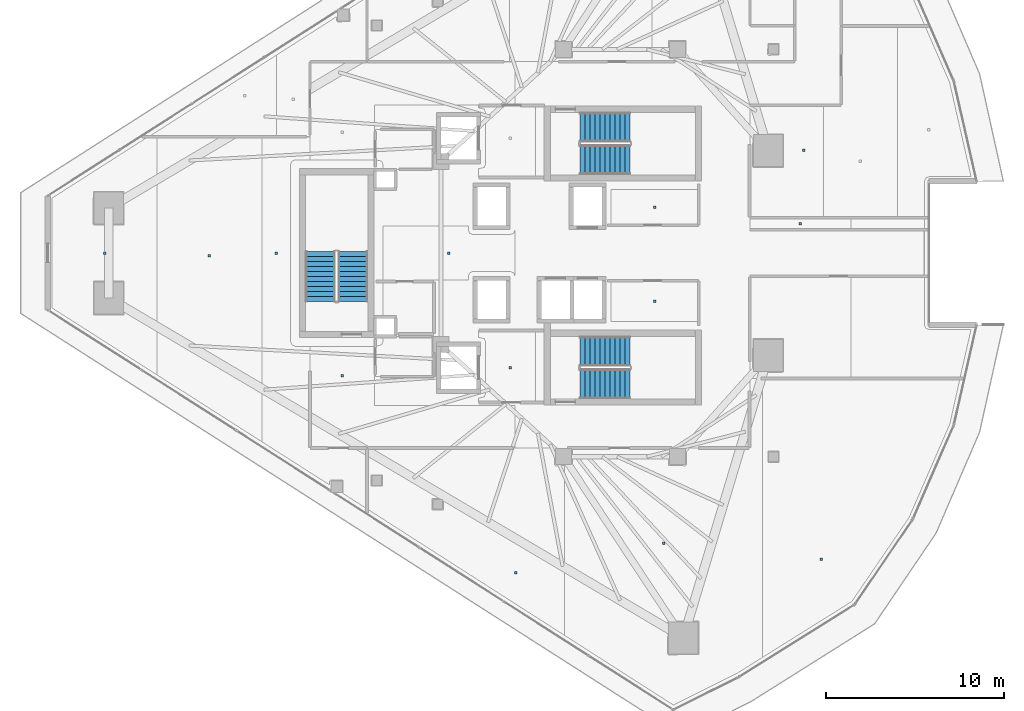
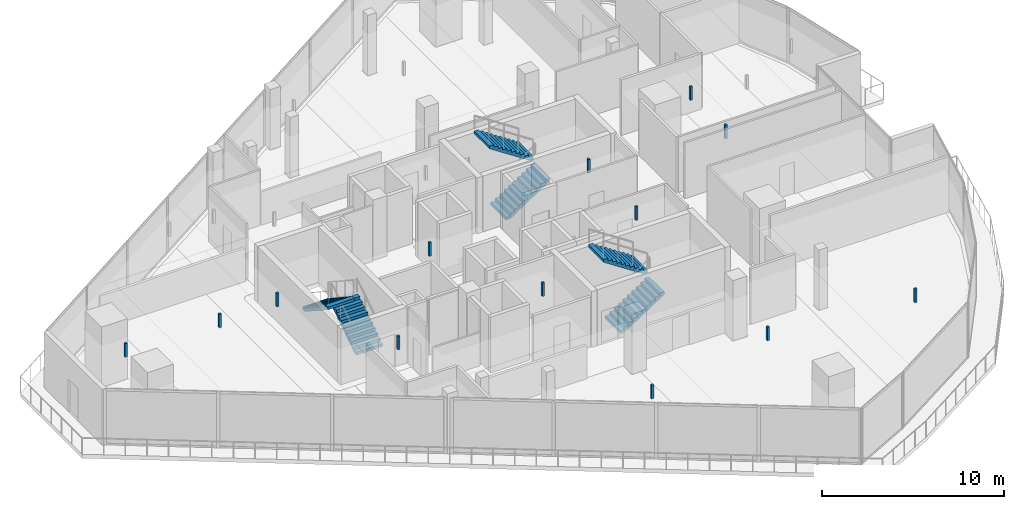
# One storey, part 27 of 34: 13 discrete accessories, 6 stair flights, 3 elements without a shape of their own.
"""IFC4 building model written with IfcOpenShell, lengths in metres."""

from ifc_helpers import new_model, si_unit, direction, frame, origin, origin_2d, place, context, subcontext, project, spatial, polyline, rectangle, outline, extrude, material, layer, layer_set, type_object, element, aggregate, save


model = new_model("IFC4")

# Units and contexts
model_context = context("Model", 3, precision=1e-05, world=origin(), true_north=direction((0.0, 1.0)))
body_context = subcontext(model_context, "Body", "Model", "MODEL_VIEW")
ifc_project = project(units=[si_unit("LENGTHUNIT", "METRE"), si_unit("AREAUNIT", "SQUARE_METRE"), si_unit("VOLUMEUNIT", "CUBIC_METRE"), si_unit("PLANEANGLEUNIT", "RADIAN"), si_unit("MASSUNIT", "GRAM", prefix="KILO")], contexts=[model_context])

# Site, building, storey
site_placement = place(None, origin())
site = spatial("IfcSite", under=ifc_project, at=site_placement, CompositionType="ELEMENT")
building_placement = place(site_placement, origin())
building = spatial("IfcBuilding", under=site, at=building_placement, Name="Qorvath Tower", CompositionType="ELEMENT")
storey_placement = place(building_placement, frame((0.0, 0.0, 245.550048828125)))
storey = spatial("IfcBuildingStorey", under=building, at=storey_placement, Name="L57", CompositionType="ELEMENT", Elevation=245.550048828125)

# Stair, stair flights
ifc_material_1 = material(Name="Concrete C50/60", Category="concrete")
stair_type = type_object("IfcStairType", Name="ST-H405", PredefinedType="HALF_TURN_STAIR", material=ifc_material_1)
stair_1_placement = place(storey_placement, origin())
stair_1 = element("IfcStair", 1, at=stair_1_placement, inside=storey, type_object=stair_type, Name="L57 Tower Exit Stair 1", PredefinedType="HALF_TURN_STAIR")
ifc_material_2 = material(Name="Concrete C50/60", Category="concrete")
ifc_layer = layer(ifc_material_2, 0.14990234375)
ifc_layer_set = layer_set([ifc_layer], Name="SF-H405")
stair_flight_type = type_object("IfcStairFlightType", Name="SF-H405", PredefinedType="STRAIGHT", material=ifc_layer_set)
stair_flight_1_placement = place(storey_placement, frame((-22.669921875, 5.239990234375, 0.0), z_axis=(0.0, 0.0, 1.0), x_axis=(1.0, 0.0, 0.0)))
stair_flight_1 = element("IfcStairFlight", 2, at=stair_flight_1_placement, type_object=stair_flight_type, Name="TS1 flight 1", NumberOfRisers=11, NumberOfTreads=10, PredefinedType="STRAIGHT", RiserHeight=0.184090909, TreadLength=0.28, context=body_context, shape_type="SweptSolid", body=[
    extrude(outline(polyline([(0.0, 0.0), (0.0, 0.18408203125), (0.280029296875, 0.18408203125), (0.280029296875, 0.3681640625), (0.56005859375, 0.3681640625), (0.56005859375, 0.55224609375), (0.840087890625, 0.55224609375), (0.840087890625, 0.736328125), (1.1201171875, 0.736328125), (1.1201171875, 0.92041015625), (1.39990234375, 0.92041015625), (1.39990234375, 1.1044921875), (1.679931640625, 1.1044921875), (1.679931640625, 1.28857421875), (1.9599609375, 1.28857421875), (1.9599609375, 1.47265625), (2.239990234375, 1.47265625), (2.239990234375, 1.65673828125), (2.52001953125, 1.65673828125), (2.52001953125, 1.8408203125), (2.800048828125, 1.8408203125), (2.800048828125, 2.02490234375), (2.800048828125, 1.66162109375), (0.27294921875, 0.0), (0.0, 0.0)])), frame((0.0, 0.83984375, 0.0), z_axis=(0.0, -1.0, 0.0), x_axis=(1.0, 0.0, 0.0)), (0.0, 0.0, 1.0), 1.679931640625),
])
stair_flight_2_placement = place(storey_placement, frame((-19.8701171875, 7.070068359375, 2.02490234375), z_axis=(0.0, 0.0, 1.0), x_axis=(-1.0, 0.0, 0.0)))
stair_flight_2 = element("IfcStairFlight", 3, at=stair_flight_2_placement, type_object=stair_flight_type, Name="TS1 flight 2", NumberOfRisers=11, NumberOfTreads=10, PredefinedType="STRAIGHT", RiserHeight=0.184090909, TreadLength=0.28, context=body_context, shape_type="SweptSolid", body=[
    extrude(outline(polyline([(0.0, 0.0), (0.0, 0.18408203125), (0.280029296875, 0.18408203125), (0.280029296875, 0.3681640625), (0.56005859375, 0.3681640625), (0.56005859375, 0.55224609375), (0.840087890625, 0.55224609375), (0.840087890625, 0.736328125), (1.1201171875, 0.736328125), (1.1201171875, 0.92041015625), (1.39990234375, 0.92041015625), (1.39990234375, 1.1044921875), (1.679931640625, 1.1044921875), (1.679931640625, 1.28857421875), (1.9599609375, 1.28857421875), (1.9599609375, 1.47265625), (2.239990234375, 1.47265625), (2.239990234375, 1.65673828125), (2.52001953125, 1.65673828125), (2.52001953125, 1.8408203125), (2.800048828125, 1.8408203125), (2.800048828125, 2.02490234375), (2.800048828125, 1.66162109375), (0.27294921875, 0.0), (0.0, 0.0)])), frame((0.0, 0.83984375, 0.0), z_axis=(0.0, -1.0, 0.0), x_axis=(1.0, 0.0, 0.0)), (0.0, 0.0, 1.0), 1.679931640625),
])
aggregate(stair_1, [stair_flight_1, stair_flight_2])

stair_2_placement = place(storey_placement, origin())
stair_2 = element("IfcStair", 4, at=stair_2_placement, inside=storey, type_object=stair_type, Name="L57 Tower Exit Stair 2", PredefinedType="HALF_TURN_STAIR")
stair_flight_3_placement = place(storey_placement, frame((-22.669921875, -7.360107421875, 0.0), z_axis=(0.0, 0.0, 1.0), x_axis=(1.0, 0.0, 0.0)))
stair_flight_3 = element("IfcStairFlight", 5, at=stair_flight_3_placement, type_object=stair_flight_type, Name="TS2 flight 1", NumberOfRisers=11, NumberOfTreads=10, PredefinedType="STRAIGHT", RiserHeight=0.184090909, TreadLength=0.28, context=body_context, shape_type="SweptSolid", body=[
    extrude(outline(polyline([(0.0, 0.0), (0.0, 0.18408203125), (0.280029296875, 0.18408203125), (0.280029296875, 0.3681640625), (0.56005859375, 0.3681640625), (0.56005859375, 0.55224609375), (0.840087890625, 0.55224609375), (0.840087890625, 0.736328125), (1.1201171875, 0.736328125), (1.1201171875, 0.92041015625), (1.39990234375, 0.92041015625), (1.39990234375, 1.1044921875), (1.679931640625, 1.1044921875), (1.679931640625, 1.28857421875), (1.9599609375, 1.28857421875), (1.9599609375, 1.47265625), (2.239990234375, 1.47265625), (2.239990234375, 1.65673828125), (2.52001953125, 1.65673828125), (2.52001953125, 1.8408203125), (2.800048828125, 1.8408203125), (2.800048828125, 2.02490234375), (2.800048828125, 1.66162109375), (0.27294921875, 0.0), (0.0, 0.0)])), frame((0.0, 0.83984375, 0.0), z_axis=(0.0, -1.0, 0.0), x_axis=(1.0, 0.0, 0.0)), (0.0, 0.0, 1.0), 1.679931640625),
])
stair_flight_4_placement = place(storey_placement, frame((-19.8701171875, -5.530029296875, 2.02490234375), z_axis=(0.0, 0.0, 1.0), x_axis=(-1.0, 0.0, 0.0)))
stair_flight_4 = element("IfcStairFlight", 6, at=stair_flight_4_placement, type_object=stair_flight_type, Name="TS2 flight 2", NumberOfRisers=11, NumberOfTreads=10, PredefinedType="STRAIGHT", RiserHeight=0.184090909, TreadLength=0.28, context=body_context, shape_type="SweptSolid", body=[
    extrude(outline(polyline([(0.0, 0.0), (0.0, 0.18408203125), (0.280029296875, 0.18408203125), (0.280029296875, 0.3681640625), (0.56005859375, 0.3681640625), (0.56005859375, 0.55224609375), (0.840087890625, 0.55224609375), (0.840087890625, 0.736328125), (1.1201171875, 0.736328125), (1.1201171875, 0.92041015625), (1.39990234375, 0.92041015625), (1.39990234375, 1.1044921875), (1.679931640625, 1.1044921875), (1.679931640625, 1.28857421875), (1.9599609375, 1.28857421875), (1.9599609375, 1.47265625), (2.239990234375, 1.47265625), (2.239990234375, 1.65673828125), (2.52001953125, 1.65673828125), (2.52001953125, 1.8408203125), (2.800048828125, 1.8408203125), (2.800048828125, 2.02490234375), (2.800048828125, 1.66162109375), (0.27294921875, 0.0), (0.0, 0.0)])), frame((0.0, 0.83984375, 0.0), z_axis=(0.0, -1.0, 0.0), x_axis=(1.0, 0.0, 0.0)), (0.0, 0.0, 1.0), 1.679931640625),
])
aggregate(stair_2, [stair_flight_3, stair_flight_4])

stair_3_placement = place(storey_placement, origin())
stair_3 = element("IfcStair", 7, at=stair_3_placement, inside=storey, type_object=stair_type, Name="L57 Tower Exit Stair 3", PredefinedType="HALF_TURN_STAIR")
stair_flight_5_placement = place(storey_placement, frame((-35.43994140625, -2.719970703125, 0.0), z_axis=(0.0, 0.0, 1.0), x_axis=(0.0, 1.0, 0.0)))
stair_flight_5 = element("IfcStairFlight", 8, at=stair_flight_5_placement, type_object=stair_flight_type, Name="TS3 flight 1", NumberOfRisers=11, NumberOfTreads=10, PredefinedType="STRAIGHT", RiserHeight=0.184090909, TreadLength=0.28, context=body_context, shape_type="SweptSolid", body=[
    extrude(outline(polyline([(0.0, 0.0), (0.0, 0.18408203125), (0.280029296875, 0.18408203125), (0.280029296875, 0.3681640625), (0.56005859375, 0.3681640625), (0.56005859375, 0.55224609375), (0.840087890625, 0.55224609375), (0.840087890625, 0.736328125), (1.1201171875, 0.736328125), (1.1201171875, 0.92041015625), (1.39990234375, 0.92041015625), (1.39990234375, 1.1044921875), (1.679931640625, 1.1044921875), (1.679931640625, 1.28857421875), (1.9599609375, 1.28857421875), (1.9599609375, 1.47265625), (2.239990234375, 1.47265625), (2.239990234375, 1.65673828125), (2.52001953125, 1.65673828125), (2.52001953125, 1.8408203125), (2.800048828125, 1.8408203125), (2.800048828125, 2.02490234375), (2.800048828125, 1.66162109375), (0.27294921875, 0.0), (0.0, 0.0)])), frame((0.0, 0.83984375, 0.0), z_axis=(0.0, -1.0, 0.0), x_axis=(1.0, 0.0, 0.0)), (0.0, 0.0, 1.0), 1.679931640625),
])
stair_flight_6_placement = place(storey_placement, frame((-37.27001953125, 0.080078125, 2.02490234375), z_axis=(0.0, 0.0, 1.0), x_axis=(0.0, -1.0, 0.0)))
stair_flight_6 = element("IfcStairFlight", 9, at=stair_flight_6_placement, type_object=stair_flight_type, Name="TS3 flight 2", NumberOfRisers=11, NumberOfTreads=10, PredefinedType="STRAIGHT", RiserHeight=0.184090909, TreadLength=0.28, context=body_context, shape_type="SweptSolid", body=[
    extrude(outline(polyline([(0.0, 0.0), (0.0, 0.18408203125), (0.280029296875, 0.18408203125), (0.280029296875, 0.3681640625), (0.56005859375, 0.3681640625), (0.56005859375, 0.55224609375), (0.840087890625, 0.55224609375), (0.840087890625, 0.736328125), (1.1201171875, 0.736328125), (1.1201171875, 0.92041015625), (1.39990234375, 0.92041015625), (1.39990234375, 1.1044921875), (1.679931640625, 1.1044921875), (1.679931640625, 1.28857421875), (1.9599609375, 1.28857421875), (1.9599609375, 1.47265625), (2.239990234375, 1.47265625), (2.239990234375, 1.65673828125), (2.52001953125, 1.65673828125), (2.52001953125, 1.8408203125), (2.800048828125, 1.8408203125), (2.800048828125, 2.02490234375), (2.800048828125, 1.66162109375), (0.27294921875, 0.0), (0.0, 0.0)])), frame((0.0, 0.83984375, 0.0), z_axis=(0.0, -1.0, 0.0), x_axis=(1.0, 0.0, 0.0)), (0.0, 0.0, 1.0), 1.679931640625),
])
aggregate(stair_3, [stair_flight_5, stair_flight_6])

# Discrete accessories
ifc_material_3 = material(Name="Galvanised steel bracket", Category="steel")
discrete_accessory_type = type_object("IfcDiscreteAccessoryType", Name="DA-BRACKET", PredefinedType="BRACKET", material=ifc_material_3)
for number, where, z_axis, x_axis, name in (
    (10, (-26.590087890625, -6.449951171875, 2.85986328125), (0.0, 0.0, 1.0), (1.0, 0.0, 0.0), "Acoustic Ceiling Suspension Hanger T1-L57-002"),
    (11, (-18.472412109375, 2.5625, 2.85986328125), (0.0, 0.0, 1.0), (1.0, 0.0, 0.0), "Acoustic Ceiling Suspension Hanger T1-L57-003"),
    (12, (-18.472412109375, -2.70751953125, 2.85986328125), (0.0, 0.0, 1.0), (1.0, 0.0, 0.0), "Acoustic Ceiling Suspension Hanger T1-L57-004"),
    (13, (-36.04150390625, -6.907470703125, 2.85986328125), (0.0, 0.0, 1.0), (1.0, 0.0, 0.0), "Acoustic Ceiling Suspension Hanger T1-L57-008"),
    (14, (-30.053466796875, 0.0, 2.85986328125), (0.0, 0.0, 1.0), (1.0, 0.0, 0.0), "Acoustic Ceiling Suspension Hanger T1-L57-010"),
    (15, (-26.2919921875, -17.97021484375, 2.85986328125), (0.0, 0.0, 1.0), (1.0, 0.0, 0.0), "Acoustic Ceiling Suspension Hanger T1-L57-014"),
    (16, (-17.98388671875, -16.322265625, 2.85986328125), (0.0, 0.0, 1.0), (1.0, 0.0, 0.0), "Acoustic Ceiling Suspension Hanger T1-L57-015"),
    (17, (-9.110107421875, -17.22412109375, 2.85986328125), (0.0, 0.0, 1.0), (1.0, 0.0, 0.0), "Acoustic Ceiling Suspension Hanger T1-L57-016"),
    (18, (-10.2900390625, 1.64453125, 2.85986328125), (0.0, 0.0, 1.0), (1.0, 0.0, 0.0), "Acoustic Ceiling Suspension Hanger T1-L57-018"),
    (19, (-10.10986328125, 5.779052734375, 2.85986328125), (0.0, 0.0, 1.0), (1.0, 0.0, 0.0), "Acoustic Ceiling Suspension Hanger T1-L57-020"),
    (20, (-49.40966796875, -0.0087890625, 2.85986328125), (0.0, 0.0, 1.0), (1.0, 0.0, 0.0), "Acoustic Ceiling Suspension Hanger T1-L57-025"),
    (21, (-43.511474609375, -0.155517578125, 2.85986328125), (0.0, 0.0, 1.0), (1.0, 0.0, 0.0), "Acoustic Ceiling Suspension Hanger T1-L57-026"),
    (22, (-39.756103515625, 0.0, 2.85986328125), (0.0, 0.0, 1.0), (1.0, 0.0, 0.0), "Acoustic Ceiling Suspension Hanger T1-L57-027"),
):
    element("IfcDiscreteAccessory", number, at=place(storey_placement, frame(where, z_axis=z_axis, x_axis=x_axis)), inside=storey, type_object=discrete_accessory_type, Name=name, PredefinedType="NOTDEFINED", context=body_context, shape_type="SweptSolid", body=[
        extrude(rectangle(XDim=0.139892578125, YDim=0.139892578125, at=origin_2d()), origin(), (0.0, 0.0, 1.0), 0.920166015625),
    ])

save(model, "model.ifc")
